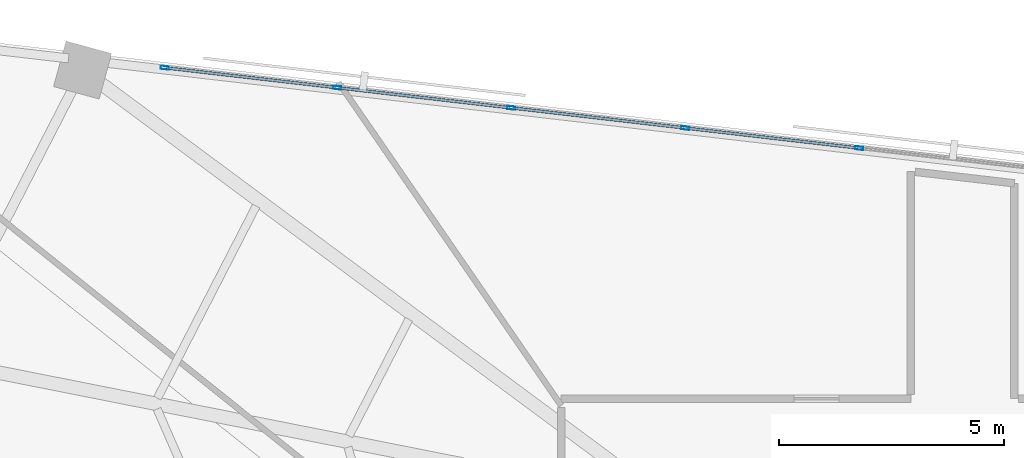
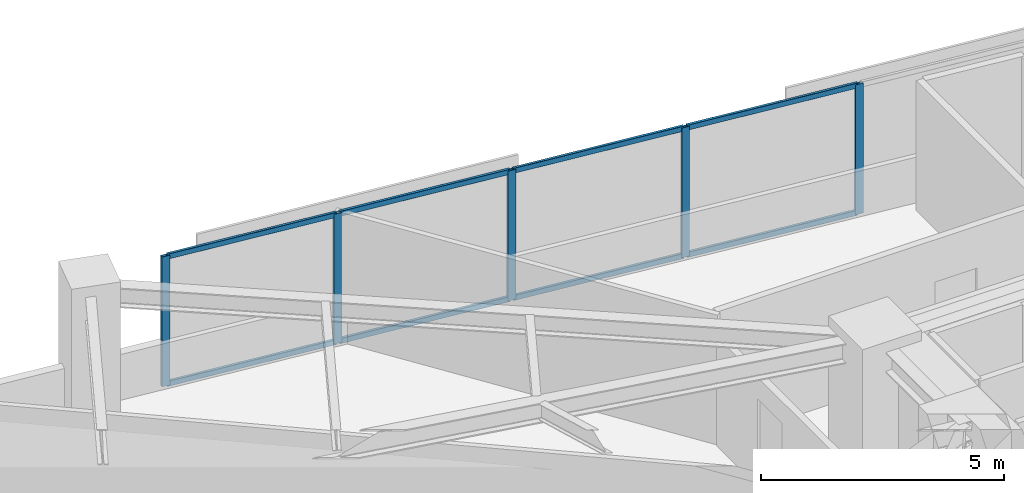
# One storey, part 7 of 14: 13 members, 1 element without a shape of its own.
"""IFC4 building model written with IfcOpenShell, lengths in metres."""

from ifc_helpers import new_model, si_unit, direction, frame, origin, origin_2d, place, context, subcontext, project, spatial, hollow_rectangle, extrude, material, material_profile, profile_set, type_object, element, aggregate, save


model = new_model("IFC4")

# Units and contexts
model_context = context("Model", 3, precision=1e-05, world=origin(), true_north=direction((0.0, 1.0)))
body_context = subcontext(model_context, "Body", "Model", "MODEL_VIEW")
ifc_project = project(units=[si_unit("LENGTHUNIT", "METRE"), si_unit("AREAUNIT", "SQUARE_METRE"), si_unit("VOLUMEUNIT", "CUBIC_METRE"), si_unit("PLANEANGLEUNIT", "RADIAN"), si_unit("MASSUNIT", "GRAM", prefix="KILO")], contexts=[model_context])

# Site, building, storey
site_placement = place(None, origin())
site = spatial("IfcSite", under=ifc_project, at=site_placement, CompositionType="ELEMENT")
building_placement = place(site_placement, origin())
building = spatial("IfcBuilding", under=site, at=building_placement, Name="Narakoshi Arena Tower", CompositionType="ELEMENT")
storey_placement = place(building_placement, frame((0.0, 0.0, 207.93994140625)))
storey = spatial("IfcBuildingStorey", under=building, at=storey_placement, Name="L56", CompositionType="ELEMENT", Elevation=207.93994140625)

# Curtain wall, members
ifc_material = material(Name="Anodised bronze aluminium 6063-T6", Category="aluminium")
curtain_wall_type = type_object("IfcCurtainWallType", Name="CW-HYP-MID", PredefinedType="NOTDEFINED", material=ifc_material)
curtain_wall_placement = place(storey_placement, origin())
curtain_wall = element("IfcCurtainWall", 1, at=curtain_wall_placement, inside=storey, type_object=curtain_wall_type, Name="L56 Folded Hypotenuse Curtain Wall 2-1", PredefinedType="NOTDEFINED")
ifc_material_profile_1 = material_profile(ifc_material, hollow_rectangle(XDim=0.074951171875, YDim=0.179931640625, WallThickness=0.00390625, OuterFilletRadius=0.0048828125, at=origin_2d()), Name="MUL180x75x4")
ifc_profile_set_1 = profile_set([ifc_material_profile_1], Name="Anodised bronze aluminium 6063-T6")
member_type_1 = type_object("IfcMemberType", Name="MEM-MUL-180", PredefinedType="MULLION", material=ifc_profile_set_1)
member_1_placement = place(storey_placement, frame((76.20068359375, 64.446533203125, 0.0), z_axis=(0.0, 0.0, 1.0), x_axis=(-0.115011296816, -0.993364183774, 0.0)))
member_1 = element("IfcMember", 2, at=member_1_placement, type_object=member_type_1, Name="CW-02 mullion 3", PredefinedType="MULLION", context=body_context, shape_type="SweptSolid", body=[
    extrude(hollow_rectangle(XDim=0.074951171875, YDim=0.179931640625, WallThickness=0.00390625, OuterFilletRadius=0.0048828125, at=origin_2d()), origin(), (0.0, 0.0, 1.0), 3.260009765625),
])
member_2_placement = place(storey_placement, frame((72.33154296875, 64.894287109375, 0.0), z_axis=(0.0, 0.0, 1.0), x_axis=(-0.115011296816, -0.993364183774, 0.0)))
member_2 = element("IfcMember", 3, at=member_2_placement, type_object=member_type_1, Name="CW-02 mullion 4", PredefinedType="MULLION", context=body_context, shape_type="SweptSolid", body=[
    extrude(hollow_rectangle(XDim=0.074951171875, YDim=0.179931640625, WallThickness=0.00390625, OuterFilletRadius=0.0048828125, at=origin_2d()), origin(), (0.0, 0.0, 1.0), 3.260009765625),
])
member_3_placement = place(storey_placement, frame((68.46240234375, 65.34228515625, 0.0), z_axis=(0.0, 0.0, 1.0), x_axis=(-0.115011296816, -0.993364183774, 0.0)))
member_3 = element("IfcMember", 4, at=member_3_placement, type_object=member_type_1, Name="CW-02 mullion 5", PredefinedType="MULLION", context=body_context, shape_type="SweptSolid", body=[
    extrude(hollow_rectangle(XDim=0.074951171875, YDim=0.179931640625, WallThickness=0.00390625, OuterFilletRadius=0.0048828125, at=origin_2d()), origin(), (0.0, 0.0, 1.0), 3.260009765625),
])
member_4_placement = place(storey_placement, frame((64.59326171875, 65.790283203125, 0.0), z_axis=(0.0, 0.0, 1.0), x_axis=(-0.115011296816, -0.993364183774, 0.0)))
member_4 = element("IfcMember", 5, at=member_4_placement, type_object=member_type_1, Name="CW-02 mullion 6", PredefinedType="MULLION", context=body_context, shape_type="SweptSolid", body=[
    extrude(hollow_rectangle(XDim=0.074951171875, YDim=0.179931640625, WallThickness=0.00390625, OuterFilletRadius=0.0048828125, at=origin_2d()), origin(), (0.0, 0.0, 1.0), 3.260009765625),
])
member_5_placement = place(storey_placement, frame((60.76123046875, 66.23388671875, 0.0), z_axis=(0.0, 0.0, 1.0), x_axis=(-0.115011296816, -0.993364183774, 0.0)))
member_5 = element("IfcMember", 6, at=member_5_placement, type_object=member_type_1, Name="CW-02 mullion 7", PredefinedType="MULLION", context=body_context, shape_type="SweptSolid", body=[
    extrude(hollow_rectangle(XDim=0.074951171875, YDim=0.179931640625, WallThickness=0.00390625, OuterFilletRadius=0.0048828125, at=origin_2d()), origin(), (0.0, 0.0, 1.0), 3.260009765625),
])
ifc_material_profile_2 = material_profile(ifc_material, hollow_rectangle(XDim=0.06494140625, YDim=0.1298828125, WallThickness=0.00390625, OuterFilletRadius=0.0048828125, at=origin_2d()), Name="TRN130x65x4")
ifc_profile_set_2 = profile_set([ifc_material_profile_2], Name="Anodised bronze aluminium 6063-T6")
member_type_2 = type_object("IfcMemberType", Name="MEM-TRN-130", PredefinedType="USERDEFINED", material=ifc_profile_set_2)
member_6_placement = place(storey_placement, frame((76.163330078125, 64.45068359375, 0.032470703125), z_axis=(-0.993360986362, 0.115038909828, 0.0), x_axis=(-0.115038909828, -0.993360986362, 0.0)))
member_6 = element("IfcMember", 7, at=member_6_placement, type_object=member_type_2, Name="CW-02 transom 3.1", ObjectType="TRANSOM", PredefinedType="USERDEFINED", context=body_context, shape_type="SweptSolid", body=[
    extrude(hollow_rectangle(XDim=0.06494140625, YDim=0.1298828125, WallThickness=0.00390625, OuterFilletRadius=0.0048828125, at=origin_2d()), origin(), (0.0, 0.0, 1.0), 3.820068359375),
])
member_7_placement = place(storey_placement, frame((76.163330078125, 64.45068359375, 3.2275390625), z_axis=(-0.993360986362, 0.115038909828, 0.0), x_axis=(-0.115038909828, -0.993360986362, 0.0)))
member_7 = element("IfcMember", 8, at=member_7_placement, type_object=member_type_2, Name="CW-02 transom 3.2", ObjectType="TRANSOM", PredefinedType="USERDEFINED", context=body_context, shape_type="SweptSolid", body=[
    extrude(hollow_rectangle(XDim=0.06494140625, YDim=0.1298828125, WallThickness=0.00390625, OuterFilletRadius=0.0048828125, at=origin_2d()), origin(), (0.0, 0.0, 1.0), 3.820068359375),
])
member_8_placement = place(storey_placement, frame((72.294189453125, 64.898681640625, 0.032470703125), z_axis=(-0.993360986362, 0.115038909828, 0.0), x_axis=(-0.115038909828, -0.993360986362, 0.0)))
member_8 = element("IfcMember", 9, at=member_8_placement, type_object=member_type_2, Name="CW-02 transom 4.1", ObjectType="TRANSOM", PredefinedType="USERDEFINED", context=body_context, shape_type="SweptSolid", body=[
    extrude(hollow_rectangle(XDim=0.06494140625, YDim=0.1298828125, WallThickness=0.00390625, OuterFilletRadius=0.0048828125, at=origin_2d()), origin(), (0.0, 0.0, 1.0), 3.820068359375),
])
member_9_placement = place(storey_placement, frame((72.294189453125, 64.898681640625, 3.2275390625), z_axis=(-0.993360986362, 0.115038909828, 0.0), x_axis=(-0.115038909828, -0.993360986362, 0.0)))
member_9 = element("IfcMember", 10, at=member_9_placement, type_object=member_type_2, Name="CW-02 transom 4.2", ObjectType="TRANSOM", PredefinedType="USERDEFINED", context=body_context, shape_type="SweptSolid", body=[
    extrude(hollow_rectangle(XDim=0.06494140625, YDim=0.1298828125, WallThickness=0.00390625, OuterFilletRadius=0.0048828125, at=origin_2d()), origin(), (0.0, 0.0, 1.0), 3.820068359375),
])
member_10_placement = place(storey_placement, frame((68.425048828125, 65.3466796875, 0.032470703125), z_axis=(-0.993360986362, 0.115038909828, 0.0), x_axis=(-0.115038909828, -0.993360986362, 0.0)))
member_10 = element("IfcMember", 11, at=member_10_placement, type_object=member_type_2, Name="CW-02 transom 5.1", ObjectType="TRANSOM", PredefinedType="USERDEFINED", context=body_context, shape_type="SweptSolid", body=[
    extrude(hollow_rectangle(XDim=0.06494140625, YDim=0.1298828125, WallThickness=0.00390625, OuterFilletRadius=0.0048828125, at=origin_2d()), origin(), (0.0, 0.0, 1.0), 3.820068359375),
])
member_11_placement = place(storey_placement, frame((68.425048828125, 65.3466796875, 3.2275390625), z_axis=(-0.993360986362, 0.115038909828, 0.0), x_axis=(-0.115038909828, -0.993360986362, 0.0)))
member_11 = element("IfcMember", 12, at=member_11_placement, type_object=member_type_2, Name="CW-02 transom 5.2", ObjectType="TRANSOM", PredefinedType="USERDEFINED", context=body_context, shape_type="SweptSolid", body=[
    extrude(hollow_rectangle(XDim=0.06494140625, YDim=0.1298828125, WallThickness=0.00390625, OuterFilletRadius=0.0048828125, at=origin_2d()), origin(), (0.0, 0.0, 1.0), 3.820068359375),
])
member_12_placement = place(storey_placement, frame((64.555908203125, 65.794677734375, 0.032470703125), z_axis=(-0.993363061903, 0.115020986115, 0.0), x_axis=(-0.115020986115, -0.993363061903, 0.0)))
member_12 = element("IfcMember", 13, at=member_12_placement, type_object=member_type_2, Name="CW-02 transom 6.1", ObjectType="TRANSOM", PredefinedType="USERDEFINED", context=body_context, shape_type="SweptSolid", body=[
    extrude(hollow_rectangle(XDim=0.06494140625, YDim=0.1298828125, WallThickness=0.00390625, OuterFilletRadius=0.0048828125, at=origin_2d()), origin(), (0.0, 0.0, 1.0), 3.782470703125),
])
member_13_placement = place(storey_placement, frame((64.555908203125, 65.794677734375, 3.2275390625), z_axis=(-0.993363061903, 0.115020986115, 0.0), x_axis=(-0.115020986115, -0.993363061903, 0.0)))
member_13 = element("IfcMember", 14, at=member_13_placement, type_object=member_type_2, Name="CW-02 transom 6.2", ObjectType="TRANSOM", PredefinedType="USERDEFINED", context=body_context, shape_type="SweptSolid", body=[
    extrude(hollow_rectangle(XDim=0.06494140625, YDim=0.1298828125, WallThickness=0.00390625, OuterFilletRadius=0.0048828125, at=origin_2d()), origin(), (0.0, 0.0, 1.0), 3.782470703125),
])
aggregate(curtain_wall, [member_1, member_2, member_3, member_4, member_5, member_6, member_7, member_8, member_9, member_10, member_11, member_12, member_13])

save(model, "model.ifc")
